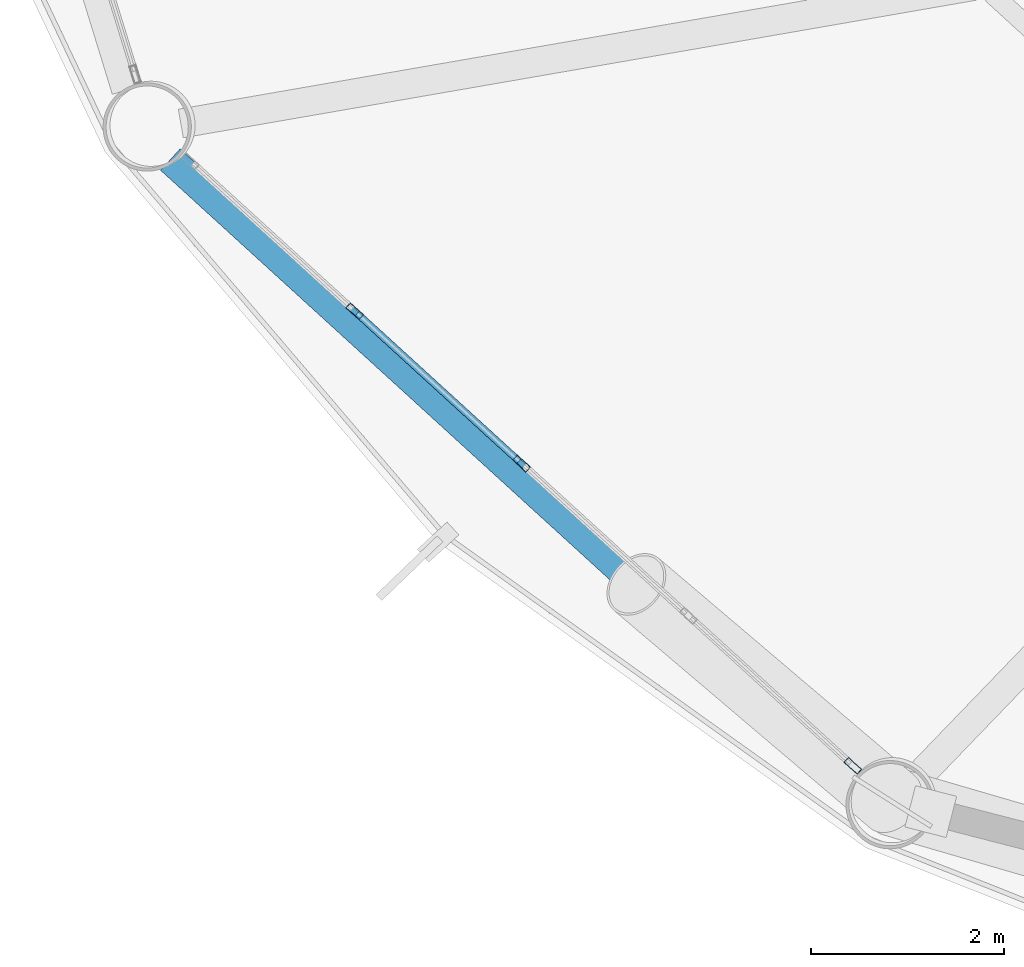
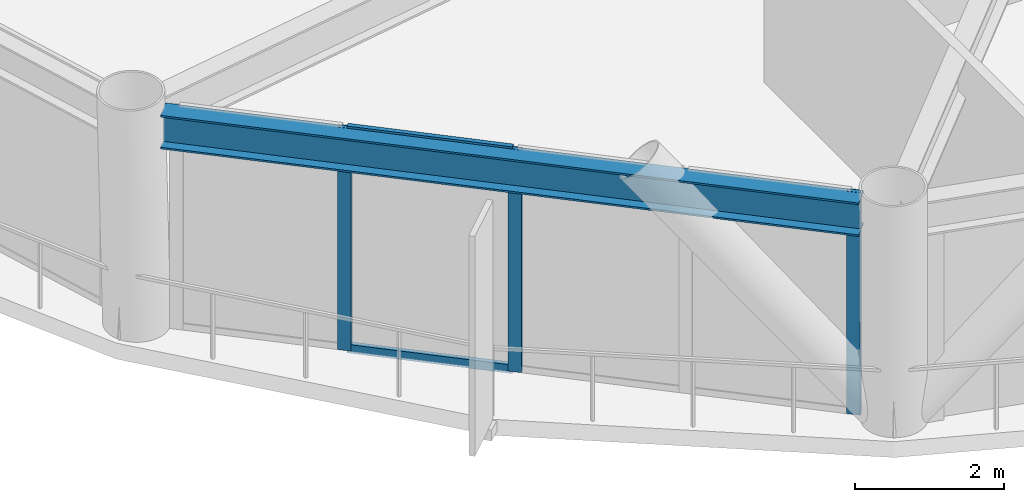
# One storey, part 2 of 26: 5 members, 1 beam, 1 element without a shape of its own.
"""IFC4 building model written with IfcOpenShell, lengths in metres."""

from ifc_helpers import new_model, si_unit, direction, frame, origin, origin_2d, place, context, subcontext, project, spatial, hollow_rectangle, i_section, extrude, material, layer, layer_set, material_profile, profile_set, type_object, element, aggregate, save


model = new_model("IFC4")

# Units and contexts
model_context = context("Model", 3, precision=1e-05, world=origin(), true_north=direction((0.0, 1.0)))
body_context = subcontext(model_context, "Body", "Model", "MODEL_VIEW")
ifc_project = project(units=[si_unit("LENGTHUNIT", "METRE"), si_unit("AREAUNIT", "SQUARE_METRE"), si_unit("VOLUMEUNIT", "CUBIC_METRE"), si_unit("PLANEANGLEUNIT", "RADIAN"), si_unit("MASSUNIT", "GRAM", prefix="KILO")], contexts=[model_context])

# Site, building, storey
site_placement = place(None, origin())
site = spatial("IfcSite", under=ifc_project, at=site_placement, CompositionType="ELEMENT")
building_placement = place(site_placement, origin())
building = spatial("IfcBuilding", under=site, at=building_placement, Name="Varnakorn Sky Granary", CompositionType="ELEMENT")
storey_placement = place(building_placement, frame((0.0, 0.0, 51.0)))
storey = spatial("IfcBuildingStorey", under=building, at=storey_placement, Name="L12", CompositionType="ELEMENT", Elevation=51.0)

# Beam
ifc_material_1 = material(Name="Steel S355JR", Category="steel")
ifc_material_profile_1 = material_profile(ifc_material_1, i_section(OverallWidth=0.300048828125, OverallDepth=0.550048828125, WebThickness=0.014892578125, FlangeThickness=0.029052734375, at=origin_2d()), Name="HE 550 B")
ifc_profile_set_1 = profile_set([ifc_material_profile_1], Name="Steel S355JR")
beam_type = type_object("IfcBeamType", Name="BM-SPD-Z1", PredefinedType="SPANDREL", material=ifc_profile_set_1)
beam_placement = place(storey_placement, frame((-19.462890625, -9.923828125, 3.364990234375), z_axis=(0.739023413374, -0.67367974178, 0.0), x_axis=(0.67367974178, 0.739023413374, 0.0)))
element("IfcBeam", 1, at=beam_placement, inside=storey, type_object=beam_type, Name="Perimeter Spandrel Ring Beam RB08 L12", PredefinedType="SPANDREL", context=body_context, shape_type="SweptSolid", body=[
    extrude(i_section(OverallWidth=0.300048828125, OverallDepth=0.550048828125, WebThickness=0.014892578125, FlangeThickness=0.029052734375, at=origin_2d()), origin(), (0.0, 0.0, 1.0), 9.575927734375),
])

# Curtain wall, members
ifc_material_2 = material(Name="Anodised Bronze Aluminium Alloy 6063-T6", Category="aluminium")
ifc_layer = layer(ifc_material_2, 0.18994140625, Name="Anodised Bronze Aluminium Alloy 6063-T6")
ifc_layer_set = layer_set([ifc_layer], Name="Anodised Bronze Aluminium Alloy 6063-T6")
curtain_wall_type = type_object("IfcCurtainWallType", Name="CW-FRM-1", PredefinedType="USERDEFINED", material=ifc_layer_set)
curtain_wall_placement = place(storey_placement, origin())
curtain_wall = element("IfcCurtainWall", 2, at=curtain_wall_placement, inside=storey, type_object=curtain_wall_type, Name="Unitised Curtain Wall CW3 CW-L12-B08", ObjectType="CURTAIN WALL", PredefinedType="USERDEFINED")
ifc_material_profile_2 = material_profile(ifc_material_2, hollow_rectangle(XDim=0.070068359375, YDim=0.18505859375, WallThickness=0.00390625, at=origin_2d()), Name="ALU MULL 70x185")
ifc_profile_set_2 = profile_set([ifc_material_profile_2], Name="Anodised Bronze Aluminium Alloy 6063-T6")
member_type_1 = type_object("IfcMemberType", Name="CW-FRM-1-MULL", PredefinedType="MULLION", material=ifc_profile_set_2)
member_1_placement = place(storey_placement, frame((-12.394287109375, -16.201904296875, 0.0), z_axis=(0.0, 0.0, 1.0), x_axis=(-0.674049155123, -0.73868649404, 0.0)))
member_1 = element("IfcMember", 3, at=member_1_placement, type_object=member_type_1, Name="CW3 mullion 1", PredefinedType="MULLION", context=body_context, shape_type="SweptSolid", body=[
    extrude(hollow_rectangle(XDim=0.070068359375, YDim=0.18505859375, WallThickness=0.00390625, at=origin_2d()), origin(), (0.0, 0.0, 1.0), 3.639892578125),
])
member_2_placement = place(storey_placement, frame((-15.824951171875, -13.071533203125, 0.0), z_axis=(0.0, 0.0, 1.0), x_axis=(-0.674049155123, -0.73868649404, 0.0)))
member_2 = element("IfcMember", 4, at=member_2_placement, type_object=member_type_1, Name="CW3 mullion 3", PredefinedType="MULLION", context=body_context, shape_type="SweptSolid", body=[
    extrude(hollow_rectangle(XDim=0.070068359375, YDim=0.18505859375, WallThickness=0.00390625, at=origin_2d()), origin(), (0.0, 0.0, 1.0), 3.639892578125),
])
member_3_placement = place(storey_placement, frame((-17.552978515625, -11.494384765625, 0.0), z_axis=(0.0, 0.0, 1.0), x_axis=(-0.674049155123, -0.73868649404, 0.0)))
member_3 = element("IfcMember", 5, at=member_3_placement, type_object=member_type_1, Name="CW3 mullion 4", PredefinedType="MULLION", context=body_context, shape_type="SweptSolid", body=[
    extrude(hollow_rectangle(XDim=0.070068359375, YDim=0.18505859375, WallThickness=0.00390625, at=origin_2d()), origin(), (0.0, 0.0, 1.0), 3.639892578125),
])
ifc_material_profile_3 = material_profile(ifc_material_2, hollow_rectangle(XDim=0.070068359375, YDim=0.139892578125, WallThickness=0.00341796875, at=origin_2d()), Name="ALU TRAN 70x140")
ifc_profile_set_3 = profile_set([ifc_material_profile_3], Name="Anodised Bronze Aluminium Alloy 6063-T6")
member_type_2 = type_object("IfcMemberType", Name="CW-FRM-1-TRAN", PredefinedType="USERDEFINED", material=ifc_profile_set_3)
member_4_placement = place(storey_placement, frame((-15.8505859375, -13.0478515625, 0.034912109375), z_axis=(-0.738692728033, 0.674042323264, 0.0), x_axis=(-0.674042323264, -0.738692728033, 0.0)))
member_4 = element("IfcMember", 6, at=member_4_placement, type_object=member_type_2, Name="CW3 transom 3.1", ObjectType="TRANSOM", PredefinedType="USERDEFINED", context=body_context, shape_type="SweptSolid", body=[
    extrude(hollow_rectangle(XDim=0.070068359375, YDim=0.139892578125, WallThickness=0.00341796875, at=origin_2d()), origin(), (0.0, 0.0, 1.0), 2.26953125),
])
member_5_placement = place(storey_placement, frame((-15.8505859375, -13.0478515625, 3.60498046875), z_axis=(-0.738692728033, 0.674042323264, 0.0), x_axis=(-0.674042323264, -0.738692728033, 0.0)))
member_5 = element("IfcMember", 7, at=member_5_placement, type_object=member_type_2, Name="CW3 transom 3.2", ObjectType="TRANSOM", PredefinedType="USERDEFINED", context=body_context, shape_type="SweptSolid", body=[
    extrude(hollow_rectangle(XDim=0.070068359375, YDim=0.139892578125, WallThickness=0.00341796875, at=origin_2d()), origin(), (0.0, 0.0, 1.0), 2.26953125),
])
aggregate(curtain_wall, [member_1, member_2, member_3, member_4, member_5])

save(model, "model.ifc")
